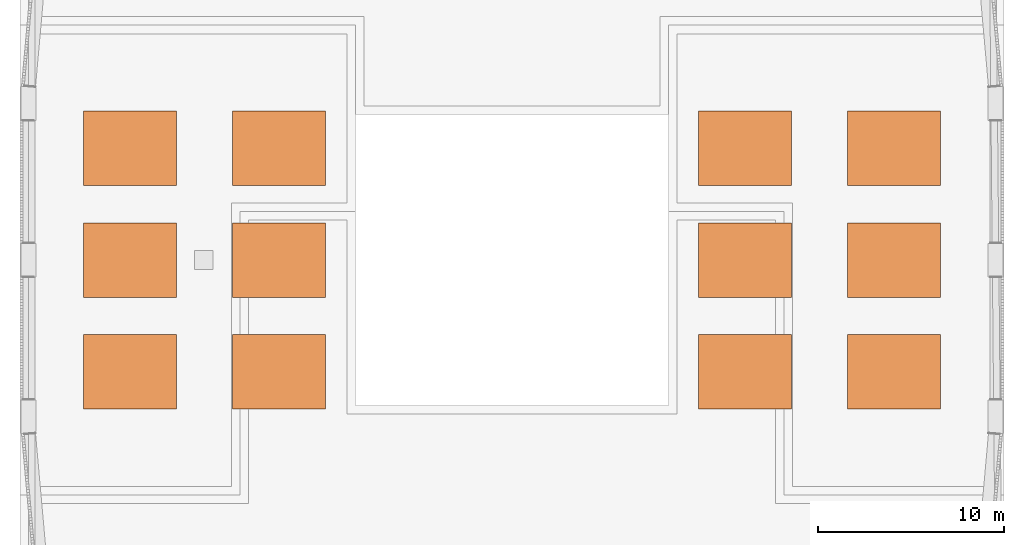
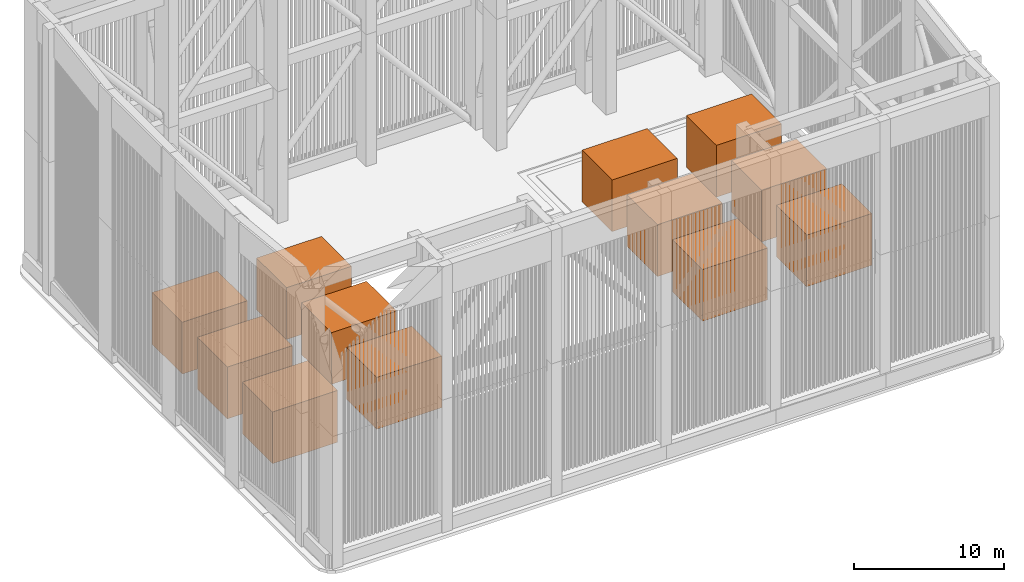
# One storey, part 27 of 27: 12 proxies.
"""IFC4 building model written with IfcOpenShell, lengths in metres."""

import ifcopenshell
import ifcopenshell.guid

model = None  # the IFC model being written
_history = None  # IfcOwnerHistory: only IFC2X3 demands one
_inside = {}  # id of a spatial element -> (the spatial element, [elements in it])
_under = {}  # id of a project, library or spatial element -> (it, [spatial elements below it])
_declared = {}  # id of a project -> (the project, [libraries it declares])
_typed = {}  # id of a type object -> (the type object, [elements of that type])
_made_of = {}  # id of a material, layer set ... -> (it, [elements and type objects made of it])


def new_model(schema):
    """Start an empty IFC model of exactly this schema.

    Asked for "IFC4X3", IfcOpenShell would pick the latest addendum, in which some entities
    have other attributes; the version numbers below select the first issue.
    IFC2X3 requires an IfcOwnerHistory on every rooted entity: one is made here for all.
    """
    global model, _history
    if schema == "IFC4X3":
        model = ifcopenshell.file(schema_version=(4, 3, 0, 0))
    else:
        model = ifcopenshell.file(schema=schema)
    _inside.clear()
    _under.clear()
    _declared.clear()
    _typed.clear()
    _made_of.clear()
    _history = None
    if model.schema == "IFC2X3":
        org = make("IfcOrganization", Name="unknown")
        user = make(
            "IfcPersonAndOrganization",
            ThePerson=make("IfcPerson", FamilyName="unknown"),
            TheOrganization=org,
        )
        app = make(
            "IfcApplication",
            ApplicationDeveloper=org,
            Version="unknown",
            ApplicationFullName="unknown",
            ApplicationIdentifier="unknown",
        )
        _history = make(
            "IfcOwnerHistory",
            OwningUser=user,
            OwningApplication=app,
            ChangeAction="ADDED",
            CreationDate=0,
        )
    return model


def make(cls, **values):
    """One entity of the class cls with the attributes given. An attribute that is None is left unset."""
    return model.create_entity(
        cls, **{name: value for name, value in values.items() if value is not None}
    )


def rooted(cls, **values):
    """An entity with a GlobalId (a new one), such as an element, a storey or a relation."""
    return make(cls, GlobalId=ifcopenshell.guid.new(), OwnerHistory=_history, **values)


def si_unit(unit_type, name, prefix=None):
    """IfcSIUnit, for example si_unit("LENGTHUNIT", "METRE", prefix="MILLI")."""
    return make("IfcSIUnit", UnitType=unit_type, Prefix=prefix, Name=name)


def assignment(units):
    """IfcUnitAssignment: the units of a project."""
    return None if units is None else make("IfcUnitAssignment", Units=units)


def point(xyz):
    """IfcCartesianPoint."""
    return None if xyz is None else make("IfcCartesianPoint", Coordinates=xyz)


def direction(xyz):
    """IfcDirection."""
    return None if xyz is None else make("IfcDirection", DirectionRatios=xyz)


def frame(location, z_axis=None, x_axis=None):
    """IfcAxis2Placement3D, a coordinate frame: its origin and axes. An axis left out is left unset."""
    return make(
        "IfcAxis2Placement3D",
        Location=point(location),
        Axis=direction(z_axis),
        RefDirection=direction(x_axis),
    )


def frame_2d(location, x_axis=None):
    """IfcAxis2Placement2D, a coordinate frame in the plane: its origin and x axis."""
    return make(
        "IfcAxis2Placement2D", Location=point(location), RefDirection=direction(x_axis)
    )


def origin():
    """The frame at (0, 0, 0) with its axes left unset."""
    return frame((0.0, 0.0, 0.0))


def origin_2d():
    """The frame at (0, 0) in the plane with its x axis left unset."""
    return frame_2d((0.0, 0.0))


def place(relative_to, where):
    """IfcLocalPlacement: puts the frame where relative to a parent placement (None: the world)."""
    return make(
        "IfcLocalPlacement", PlacementRelTo=relative_to, RelativePlacement=where
    )


def context(
    kind, dimensions, precision=None, world=None, true_north=None, identifier=None
):
    """IfcGeometricRepresentationContext, for example the 3D "Model" context."""
    return make(
        "IfcGeometricRepresentationContext",
        ContextIdentifier=identifier,
        ContextType=kind,
        CoordinateSpaceDimension=dimensions,
        Precision=precision,
        WorldCoordinateSystem=world,
        TrueNorth=true_north,
    )


def subcontext(parent, identifier, kind, view, scale=None):
    """IfcGeometricRepresentationSubContext, for example "Body" below "Model"."""
    return make(
        "IfcGeometricRepresentationSubContext",
        ContextIdentifier=identifier,
        ContextType=kind,
        ParentContext=parent,
        TargetScale=scale,
        TargetView=view,
    )


def project(units=None, contexts=None):
    """IfcProject with its units and contexts."""
    return rooted(
        "IfcProject",
        Name="project",
        RepresentationContexts=contexts,
        UnitsInContext=assignment(units),
    )


def spatial(cls, under=None, at=None, **own):
    """A site, building, storey or space (cls), placed at a placement, below another one or the project."""
    s = rooted(cls, ObjectPlacement=at, **own)
    if under is not None:
        _under.setdefault(under.id(), (under, []))[1].append(s)
    return s


def profile(cls, at=None, kind="AREA", **sizes):
    """A parametric profile (cls). Its sizes go by their IFC names, for example OverallWidth=200.0."""
    return make(cls, ProfileType=kind, Position=at, **sizes)


def rectangle(**sizes):
    """IfcRectangleProfileDef."""
    return profile("IfcRectangleProfileDef", **sizes)


def extrude(swept, where, along, depth):
    """IfcExtrudedAreaSolid: the profile swept, set in the frame where, extruded along a direction by depth."""
    return make(
        "IfcExtrudedAreaSolid",
        SweptArea=swept,
        Position=where,
        ExtrudedDirection=direction(along),
        Depth=depth,
    )


def shape(context_of_items, identifier, shape_type, items):
    """IfcShapeRepresentation: the items that make up one representation, for example the "Body"."""
    return make(
        "IfcShapeRepresentation",
        ContextOfItems=context_of_items,
        RepresentationIdentifier=identifier,
        RepresentationType=shape_type,
        Items=items,
    )


def material(Name=None, Category=None):
    """IfcMaterial."""
    return make("IfcMaterial", Name=Name, Category=Category)


def made_of(thing, what):
    """Note that an element or type object is made of a material, layer set ...; save() writes the relation."""
    if what is not None:
        _made_of.setdefault(what.id(), (what, []))[1].append(thing)
    return thing


def type_object(cls, material=None, **own):
    """A type object (cls), such as IfcWallType, which elements share."""
    return made_of(rooted(cls, **own), material)


def element(
    cls,
    number,
    at=None,
    inside=None,
    cuts=None,
    type_object=None,
    material=None,
    context=None,
    identifier="Body",
    shape_type=None,
    held_by="IfcProductDefinitionShape",
    body=None,
    shapes=None,
    **own,
):
    """One element of the class cls, such as IfcWall. Its Tag is "e" and its number.

    at: its placement. inside: the storey or other place that contains it. cuts: it is an
    opening in that element (IfcRelVoidsElement). A single representation is given by context,
    identifier, shape_type and body (its items); several are given by shapes. held_by: the class
    of the entity that holds the representations. save() writes the other relations.
    """
    e = rooted(cls, Tag="e%d" % number, ObjectPlacement=at, **own)
    if body is not None:
        shapes = [shape(context, identifier, shape_type, body)]
    if shapes is not None:
        e.Representation = make(held_by, Representations=shapes)
    if inside is not None:
        _inside.setdefault(inside.id(), (inside, []))[1].append(e)
    if cuts is not None:
        rooted(
            "IfcRelVoidsElement", RelatingBuildingElement=cuts, RelatedOpeningElement=e
        )
    if type_object is not None:
        _typed.setdefault(type_object.id(), (type_object, []))[1].append(e)
    return made_of(e, material)


def aggregate(whole, parts):
    """IfcRelAggregates: a whole, such as a stair, and the parts it consists of."""
    return rooted("IfcRelAggregates", RelatingObject=whole, RelatedObjects=parts)


def save(model, path):
    """Write the relations noted so far, then the file.

    IfcRelAggregates (storeys below a building ...), IfcRelContainedInSpatialStructure (elements
    in a storey), IfcRelDefinesByType, IfcRelAssociatesMaterial and IfcRelDeclares: one each for
    every whole, place, type object, material and project.
    """
    for whole, parts in _under.values():
        aggregate(whole, parts)
    for where, things in _inside.values():
        rooted(
            "IfcRelContainedInSpatialStructure",
            RelatedElements=things,
            RelatingStructure=where,
        )
    for kind, things in _typed.values():
        rooted("IfcRelDefinesByType", RelatedObjects=things, RelatingType=kind)
    for what, things in _made_of.values():
        rooted("IfcRelAssociatesMaterial", RelatedObjects=things, RelatingMaterial=what)
    for by, libraries in _declared.values():
        rooted("IfcRelDeclares", RelatingContext=by, RelatedDefinitions=libraries)
    model.write(path)


model = new_model("IFC4")

# Units and contexts
model_context = context("Model", 3, precision=1e-05, world=origin(), true_north=direction((0.0, 1.0)))
body_context = subcontext(model_context, "Body", "Model", "MODEL_VIEW")
ifc_project = project(units=[si_unit("LENGTHUNIT", "METRE"), si_unit("AREAUNIT", "SQUARE_METRE"), si_unit("VOLUMEUNIT", "CUBIC_METRE"), si_unit("PLANEANGLEUNIT", "RADIAN"), si_unit("MASSUNIT", "GRAM", prefix="KILO")], contexts=[model_context])

# Site, building, storey
site_placement = place(None, origin())
site = spatial("IfcSite", under=ifc_project, at=site_placement, CompositionType="ELEMENT")
building_placement = place(site_placement, origin())
building = spatial("IfcBuilding", under=site, at=building_placement, Name="Claustro Exchange Tower", CompositionType="ELEMENT")
storey_placement = place(building_placement, frame((0.0, 0.0, 287.10009765625)))
storey = spatial("IfcBuildingStorey", under=building, at=storey_placement, Name="ROOF", CompositionType="ELEMENT", Elevation=287.10009765625)

# Proxies
ifc_material = material(Name="Galvanised sheet casing", Category="metal")
building_element_proxy_type = type_object("IfcBuildingElementProxyType", Name="RPU1 5000 x 4000 x 4200 cooling tower", PredefinedType="USERDEFINED", material=ifc_material)
for number, where, z_axis, x_axis, name in (
    (1, (4.699951171875, 19.199951171875, 0.10009765625), (0.0, 0.0, 1.0), (1.0, 0.0, 0.0), "Cooling tower RPU1 W11"),
    (2, (4.699951171875, 25.199951171875, 0.10009765625), (0.0, 0.0, 1.0), (1.0, 0.0, 0.0), "Cooling tower RPU1 W21"),
    (3, (4.699951171875, 31.199951171875, 0.10009765625), (0.0, 0.0, 1.0), (1.0, 0.0, 0.0), "Cooling tower RPU1 W31"),
    (4, (12.699951171875, 19.199951171875, 0.10009765625), (0.0, 0.0, 1.0), (1.0, 0.0, 0.0), "Cooling tower RPU1 W12"),
    (5, (12.699951171875, 25.199951171875, 0.10009765625), (0.0, 0.0, 1.0), (1.0, 0.0, 0.0), "Cooling tower RPU1 W22"),
    (6, (12.699951171875, 31.199951171875, 0.10009765625), (0.0, 0.0, 1.0), (1.0, 0.0, 0.0), "Cooling tower RPU1 W32"),
    (7, (45.699951171875, 19.199951171875, 0.10009765625), (0.0, 0.0, 1.0), (1.0, 0.0, 0.0), "Cooling tower RPU1 E11"),
    (8, (45.699951171875, 25.199951171875, 0.10009765625), (0.0, 0.0, 1.0), (1.0, 0.0, 0.0), "Cooling tower RPU1 E21"),
    (9, (45.699951171875, 31.199951171875, 0.10009765625), (0.0, 0.0, 1.0), (1.0, 0.0, 0.0), "Cooling tower RPU1 E31"),
    (10, (37.699951171875, 19.199951171875, 0.10009765625), (0.0, 0.0, 1.0), (1.0, 0.0, 0.0), "Cooling tower RPU1 E12"),
    (11, (37.699951171875, 25.199951171875, 0.10009765625), (0.0, 0.0, 1.0), (1.0, 0.0, 0.0), "Cooling tower RPU1 E22"),
    (12, (37.699951171875, 31.199951171875, 0.10009765625), (0.0, 0.0, 1.0), (1.0, 0.0, 0.0), "Cooling tower RPU1 E32"),
):
    element("IfcBuildingElementProxy", number, at=place(storey_placement, frame(where, z_axis=z_axis, x_axis=x_axis)), inside=storey, type_object=building_element_proxy_type, Name=name, ObjectType="COOLING TOWER", PredefinedType="USERDEFINED", context=body_context, shape_type="SweptSolid", body=[
        extrude(rectangle(XDim=5.0, YDim=4.0, at=origin_2d()), origin(), (0.0, 0.0, 1.0), 4.199951171875),
    ])

save(model, "model.ifc")
